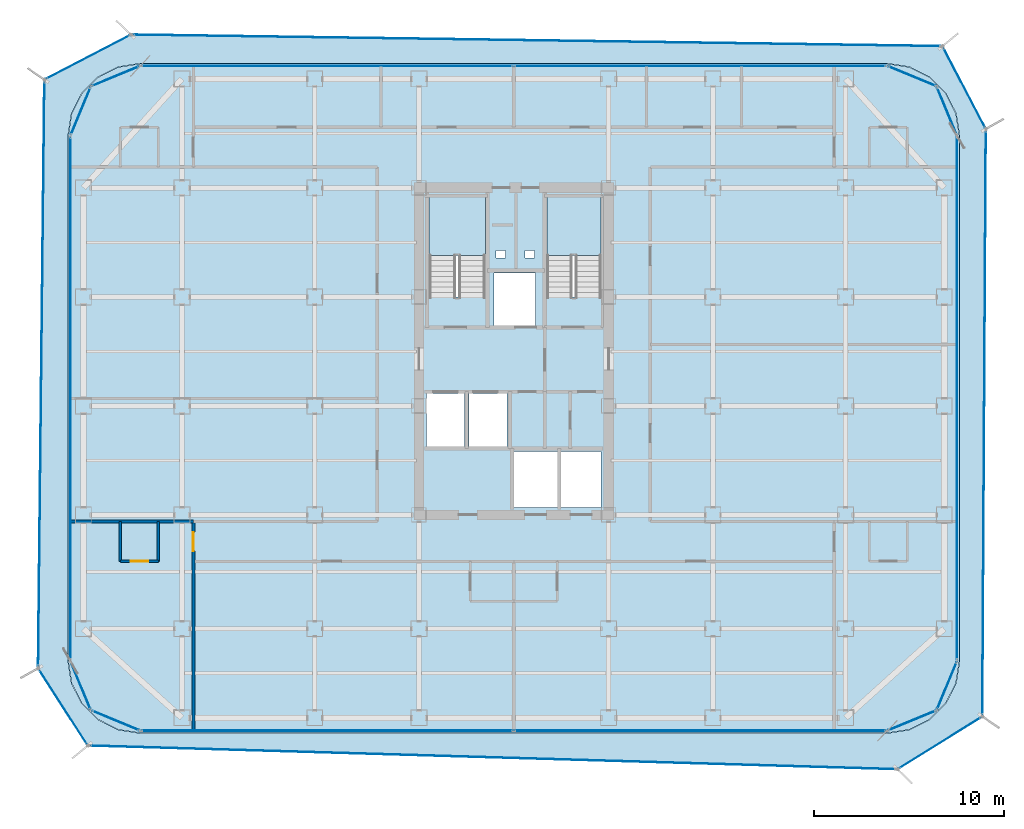
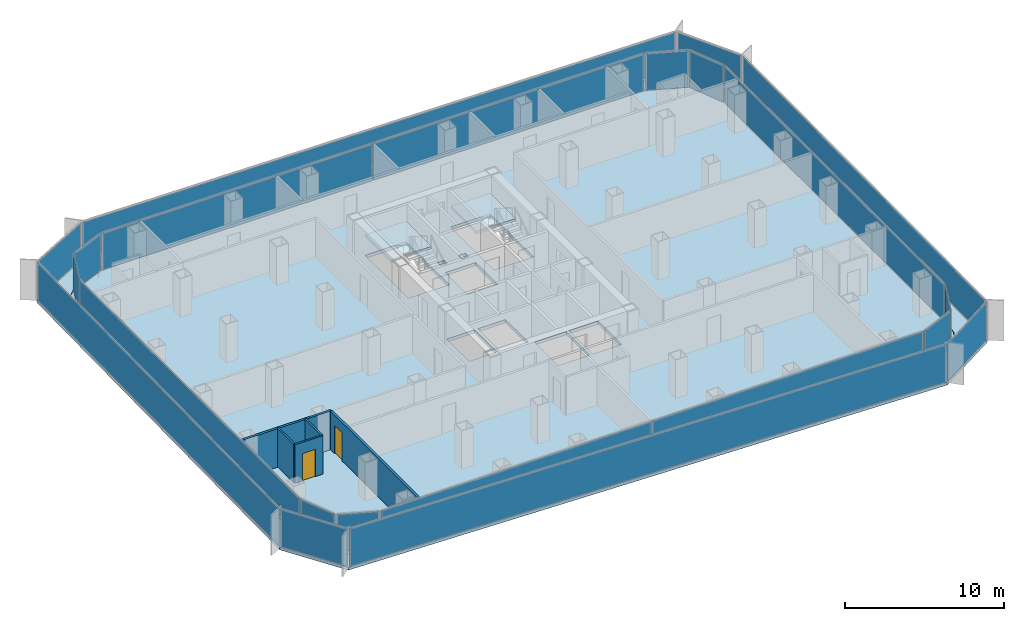
# One storey, part 15 of 21: 22 plates, 5 walls, 4 slabs, 2 doors, 2 openings, 22 elements without a shape of their own.
"""IFC4 building model written with IfcOpenShell, lengths in metres."""

import ifcopenshell
import ifcopenshell.guid

model = None  # the IFC model being written
_history = None  # IfcOwnerHistory: only IFC2X3 demands one
_inside = {}  # id of a spatial element -> (the spatial element, [elements in it])
_under = {}  # id of a project, library or spatial element -> (it, [spatial elements below it])
_declared = {}  # id of a project -> (the project, [libraries it declares])
_typed = {}  # id of a type object -> (the type object, [elements of that type])
_made_of = {}  # id of a material, layer set ... -> (it, [elements and type objects made of it])


def new_model(schema):
    """Start an empty IFC model of exactly this schema.

    Asked for "IFC4X3", IfcOpenShell would pick the latest addendum, in which some entities
    have other attributes; the version numbers below select the first issue.
    IFC2X3 requires an IfcOwnerHistory on every rooted entity: one is made here for all.
    """
    global model, _history
    if schema == "IFC4X3":
        model = ifcopenshell.file(schema_version=(4, 3, 0, 0))
    else:
        model = ifcopenshell.file(schema=schema)
    _inside.clear()
    _under.clear()
    _declared.clear()
    _typed.clear()
    _made_of.clear()
    _history = None
    if model.schema == "IFC2X3":
        org = make("IfcOrganization", Name="unknown")
        user = make(
            "IfcPersonAndOrganization",
            ThePerson=make("IfcPerson", FamilyName="unknown"),
            TheOrganization=org,
        )
        app = make(
            "IfcApplication",
            ApplicationDeveloper=org,
            Version="unknown",
            ApplicationFullName="unknown",
            ApplicationIdentifier="unknown",
        )
        _history = make(
            "IfcOwnerHistory",
            OwningUser=user,
            OwningApplication=app,
            ChangeAction="ADDED",
            CreationDate=0,
        )
    return model


def make(cls, **values):
    """One entity of the class cls with the attributes given. An attribute that is None is left unset."""
    return model.create_entity(
        cls, **{name: value for name, value in values.items() if value is not None}
    )


def rooted(cls, **values):
    """An entity with a GlobalId (a new one), such as an element, a storey or a relation."""
    return make(cls, GlobalId=ifcopenshell.guid.new(), OwnerHistory=_history, **values)


def si_unit(unit_type, name, prefix=None):
    """IfcSIUnit, for example si_unit("LENGTHUNIT", "METRE", prefix="MILLI")."""
    return make("IfcSIUnit", UnitType=unit_type, Prefix=prefix, Name=name)


def assignment(units):
    """IfcUnitAssignment: the units of a project."""
    return None if units is None else make("IfcUnitAssignment", Units=units)


def point(xyz):
    """IfcCartesianPoint."""
    return None if xyz is None else make("IfcCartesianPoint", Coordinates=xyz)


def direction(xyz):
    """IfcDirection."""
    return None if xyz is None else make("IfcDirection", DirectionRatios=xyz)


def frame(location, z_axis=None, x_axis=None):
    """IfcAxis2Placement3D, a coordinate frame: its origin and axes. An axis left out is left unset."""
    return make(
        "IfcAxis2Placement3D",
        Location=point(location),
        Axis=direction(z_axis),
        RefDirection=direction(x_axis),
    )


def frame_2d(location, x_axis=None):
    """IfcAxis2Placement2D, a coordinate frame in the plane: its origin and x axis."""
    return make(
        "IfcAxis2Placement2D", Location=point(location), RefDirection=direction(x_axis)
    )


def origin():
    """The frame at (0, 0, 0) with its axes left unset."""
    return frame((0.0, 0.0, 0.0))


def origin_2d():
    """The frame at (0, 0) in the plane with its x axis left unset."""
    return frame_2d((0.0, 0.0))


def place(relative_to, where):
    """IfcLocalPlacement: puts the frame where relative to a parent placement (None: the world)."""
    return make(
        "IfcLocalPlacement", PlacementRelTo=relative_to, RelativePlacement=where
    )


def context(
    kind, dimensions, precision=None, world=None, true_north=None, identifier=None
):
    """IfcGeometricRepresentationContext, for example the 3D "Model" context."""
    return make(
        "IfcGeometricRepresentationContext",
        ContextIdentifier=identifier,
        ContextType=kind,
        CoordinateSpaceDimension=dimensions,
        Precision=precision,
        WorldCoordinateSystem=world,
        TrueNorth=true_north,
    )


def subcontext(parent, identifier, kind, view, scale=None):
    """IfcGeometricRepresentationSubContext, for example "Body" below "Model"."""
    return make(
        "IfcGeometricRepresentationSubContext",
        ContextIdentifier=identifier,
        ContextType=kind,
        ParentContext=parent,
        TargetScale=scale,
        TargetView=view,
    )


def project(units=None, contexts=None):
    """IfcProject with its units and contexts."""
    return rooted(
        "IfcProject",
        Name="project",
        RepresentationContexts=contexts,
        UnitsInContext=assignment(units),
    )


def spatial(cls, under=None, at=None, **own):
    """A site, building, storey or space (cls), placed at a placement, below another one or the project."""
    s = rooted(cls, ObjectPlacement=at, **own)
    if under is not None:
        _under.setdefault(under.id(), (under, []))[1].append(s)
    return s


def polyline(points):
    """IfcPolyline through the points."""
    return make("IfcPolyline", Points=[point(p) for p in points])


def profile(cls, at=None, kind="AREA", **sizes):
    """A parametric profile (cls). Its sizes go by their IFC names, for example OverallWidth=200.0."""
    return make(cls, ProfileType=kind, Position=at, **sizes)


def rectangle(**sizes):
    """IfcRectangleProfileDef."""
    return profile("IfcRectangleProfileDef", **sizes)


def outline(outer, holes=None, kind="AREA"):
    """IfcArbitraryClosedProfileDef: a profile drawn as a closed curve; with holes, ...WithVoids."""
    if holes is None:
        return make("IfcArbitraryClosedProfileDef", ProfileType=kind, OuterCurve=outer)
    return make(
        "IfcArbitraryProfileDefWithVoids",
        ProfileType=kind,
        OuterCurve=outer,
        InnerCurves=holes,
    )


def extrude(swept, where, along, depth):
    """IfcExtrudedAreaSolid: the profile swept, set in the frame where, extruded along a direction by depth."""
    return make(
        "IfcExtrudedAreaSolid",
        SweptArea=swept,
        Position=where,
        ExtrudedDirection=direction(along),
        Depth=depth,
    )


def shape(context_of_items, identifier, shape_type, items):
    """IfcShapeRepresentation: the items that make up one representation, for example the "Body"."""
    return make(
        "IfcShapeRepresentation",
        ContextOfItems=context_of_items,
        RepresentationIdentifier=identifier,
        RepresentationType=shape_type,
        Items=items,
    )


def source(mapping_origin, context_of_items, identifier, shape_type, items):
    """IfcRepresentationMap: a shape defined once, which mapped items show again and again."""
    return make(
        "IfcRepresentationMap",
        MappingOrigin=mapping_origin,
        MappedRepresentation=shape(context_of_items, identifier, shape_type, items),
    )


def transform(
    local_origin,
    x_axis=None,
    y_axis=None,
    z_axis=None,
    scale=None,
    scale2=None,
    scale3=None,
    uniform=True,
):
    """IfcCartesianTransformationOperator3D, or its non-uniform kind. x_axis, y_axis, z_axis: its Axis1, 2, 3."""
    if uniform:
        return make(
            "IfcCartesianTransformationOperator3D",
            Axis1=direction(x_axis),
            Axis2=direction(y_axis),
            LocalOrigin=point(local_origin),
            Scale=scale,
            Axis3=direction(z_axis),
        )
    return make(
        "IfcCartesianTransformationOperator3DnonUniform",
        Axis1=direction(x_axis),
        Axis2=direction(y_axis),
        LocalOrigin=point(local_origin),
        Scale=scale,
        Axis3=direction(z_axis),
        Scale2=scale2,
        Scale3=scale3,
    )


def mapped(mapping_source, mapping_target):
    """IfcMappedItem: shows the shape of a source again, moved by a transform."""
    return make(
        "IfcMappedItem", MappingSource=mapping_source, MappingTarget=mapping_target
    )


def material(Name=None, Category=None):
    """IfcMaterial."""
    return make("IfcMaterial", Name=Name, Category=Category)


def layer(
    of_material, thickness, ventilated=None, Name=None, Category=None, Priority=None
):
    """IfcMaterialLayer: one layer of a wall or slab, of a material (None: an air gap)."""
    return make(
        "IfcMaterialLayer",
        Material=of_material,
        LayerThickness=thickness,
        IsVentilated=ventilated,
        Name=Name,
        Category=Category,
        Priority=Priority,
    )


def layer_set(layers, Name=None):
    """IfcMaterialLayerSet."""
    return make("IfcMaterialLayerSet", MaterialLayers=layers, LayerSetName=Name)


def made_of(thing, what):
    """Note that an element or type object is made of a material, layer set ...; save() writes the relation."""
    if what is not None:
        _made_of.setdefault(what.id(), (what, []))[1].append(thing)
    return thing


def type_object(cls, material=None, **own):
    """A type object (cls), such as IfcWallType, which elements share."""
    return made_of(rooted(cls, **own), material)


def element(
    cls,
    number,
    at=None,
    inside=None,
    cuts=None,
    type_object=None,
    material=None,
    context=None,
    identifier="Body",
    shape_type=None,
    held_by="IfcProductDefinitionShape",
    body=None,
    shapes=None,
    **own,
):
    """One element of the class cls, such as IfcWall. Its Tag is "e" and its number.

    at: its placement. inside: the storey or other place that contains it. cuts: it is an
    opening in that element (IfcRelVoidsElement). A single representation is given by context,
    identifier, shape_type and body (its items); several are given by shapes. held_by: the class
    of the entity that holds the representations. save() writes the other relations.
    """
    e = rooted(cls, Tag="e%d" % number, ObjectPlacement=at, **own)
    if body is not None:
        shapes = [shape(context, identifier, shape_type, body)]
    if shapes is not None:
        e.Representation = make(held_by, Representations=shapes)
    if inside is not None:
        _inside.setdefault(inside.id(), (inside, []))[1].append(e)
    if cuts is not None:
        rooted(
            "IfcRelVoidsElement", RelatingBuildingElement=cuts, RelatedOpeningElement=e
        )
    if type_object is not None:
        _typed.setdefault(type_object.id(), (type_object, []))[1].append(e)
    return made_of(e, material)


def fill(opening, filler):
    """IfcRelFillsElement: the door or window that sits in an opening."""
    return rooted(
        "IfcRelFillsElement",
        RelatingOpeningElement=opening,
        RelatedBuildingElement=filler,
    )


def aggregate(whole, parts):
    """IfcRelAggregates: a whole, such as a stair, and the parts it consists of."""
    return rooted("IfcRelAggregates", RelatingObject=whole, RelatedObjects=parts)


def save(model, path):
    """Write the relations noted so far, then the file.

    IfcRelAggregates (storeys below a building ...), IfcRelContainedInSpatialStructure (elements
    in a storey), IfcRelDefinesByType, IfcRelAssociatesMaterial and IfcRelDeclares: one each for
    every whole, place, type object, material and project.
    """
    for whole, parts in _under.values():
        aggregate(whole, parts)
    for where, things in _inside.values():
        rooted(
            "IfcRelContainedInSpatialStructure",
            RelatedElements=things,
            RelatingStructure=where,
        )
    for kind, things in _typed.values():
        rooted("IfcRelDefinesByType", RelatedObjects=things, RelatingType=kind)
    for what, things in _made_of.values():
        rooted("IfcRelAssociatesMaterial", RelatedObjects=things, RelatingMaterial=what)
    for by, libraries in _declared.values():
        rooted("IfcRelDeclares", RelatingContext=by, RelatedDefinitions=libraries)
    model.write(path)


model = new_model("IFC4")

# Units and contexts
model_context = context("Model", 3, precision=1e-05, world=origin(), true_north=direction((0.0, 1.0)))
body_context = subcontext(model_context, "Body", "Model", "MODEL_VIEW")
ifc_project = project(units=[si_unit("LENGTHUNIT", "METRE"), si_unit("AREAUNIT", "SQUARE_METRE"), si_unit("VOLUMEUNIT", "CUBIC_METRE"), si_unit("PLANEANGLEUNIT", "RADIAN"), si_unit("MASSUNIT", "GRAM", prefix="KILO")], contexts=[model_context])

# Site, building, storey
site_placement = place(None, origin())
site = spatial("IfcSite", under=ifc_project, at=site_placement, CompositionType="ELEMENT")
building_placement = place(site_placement, origin())
building = spatial("IfcBuilding", under=site, at=building_placement, Name="Kolveth Station Tower", CompositionType="ELEMENT")
storey_placement = place(building_placement, frame((0.0, 0.0, 131.10009765625)))
storey = spatial("IfcBuildingStorey", under=building, at=storey_placement, Name="L36", CompositionType="ELEMENT", Elevation=131.10009765625)

# Slab
ifc_material_1 = material(Name="Concrete C40/50", Category="concrete")
ifc_layer_1 = layer(ifc_material_1, 0.25)
ifc_layer_set_1 = layer_set([ifc_layer_1], Name="Concrete C40/50")
slab_type_1 = type_object("IfcSlabType", Name="Slab_SF-250", PredefinedType="FLOOR", material=ifc_layer_set_1)
slab_1_placement = place(storey_placement, frame((0.0, 0.0, -0.25)))
element("IfcSlab", 1, at=slab_1_placement, inside=storey, type_object=slab_type_1, Name="L36 Tower Structural Floor Slab", PredefinedType="FLOOR", context=body_context, shape_type="SweptSolid", body=[
    extrude(outline(polyline([(43.199951171875, 0.0), (44.374267578125, 0.18603515625), (45.43359375, 0.7255859375), (46.2744140625, 1.56640625), (46.81396484375, 2.625732421875), (47.0, 3.800048828125), (47.0, 31.5), (46.81396484375, 32.67431640625), (46.2744140625, 33.733642578125), (45.43359375, 34.57421875), (44.374267578125, 35.114013671875), (43.199951171875, 35.300048828125), (3.800048828125, 35.300048828125), (2.625732421875, 35.114013671875), (1.56640625, 34.57421875), (0.7255859375, 33.733642578125), (0.18603515625, 32.67431640625), (0.0, 31.5), (0.0, 3.800048828125), (0.18603515625, 2.625732421875), (0.7255859375, 1.56640625), (1.56640625, 0.7255859375), (2.625732421875, 0.18603515625), (3.800048828125, 0.0), (43.199951171875, 0.0)]), holes=[polyline([(19.0400390625, 22.985107421875), (22.0, 22.985107421875), (22.0, 28.39990234375), (19.0400390625, 28.39990234375), (19.0400390625, 22.985107421875)]), polyline([(25.239990234375, 22.985107421875), (28.10009765625, 22.985107421875), (28.10009765625, 28.39990234375), (25.239990234375, 28.39990234375), (25.239990234375, 22.985107421875)]), polyline([(18.89990234375, 15.10009765625), (20.89990234375, 15.10009765625), (20.89990234375, 17.89990234375), (18.89990234375, 17.89990234375), (18.89990234375, 15.10009765625)]), polyline([(21.14990234375, 15.10009765625), (23.14990234375, 15.10009765625), (23.14990234375, 17.89990234375), (21.14990234375, 17.89990234375), (21.14990234375, 15.10009765625)]), polyline([(22.449951171875, 21.5), (24.64990234375, 21.5), (24.64990234375, 24.25), (22.449951171875, 24.25), (22.449951171875, 21.5)]), polyline([(23.5, 11.89990234375), (25.800048828125, 11.89990234375), (25.800048828125, 14.85009765625), (23.5, 14.85009765625), (23.5, 11.89990234375)]), polyline([(26.0, 11.89990234375), (28.10009765625, 11.89990234375), (28.10009765625, 14.85009765625), (26.0, 14.85009765625), (26.0, 11.89990234375)]), polyline([(22.550048828125, 25.050048828125), (23.050048828125, 25.050048828125), (23.050048828125, 25.449951171875), (22.550048828125, 25.449951171875), (22.550048828125, 25.050048828125)]), polyline([(24.10009765625, 25.050048828125), (24.60009765625, 25.050048828125), (24.60009765625, 25.449951171875), (24.10009765625, 25.449951171875), (24.10009765625, 25.050048828125)])]), origin(), (0.0, 0.0, 1.0), 0.25),
])

# Stair, slab
stair_type_1 = type_object("IfcStairType", Name="Stair_ST2", PredefinedType="HALF_TURN_STAIR", material=ifc_material_1)
stair_1_placement = place(storey_placement, origin())
stair_1 = element("IfcStair", 2, at=stair_1_placement, inside=storey, type_object=stair_type_1, Name="L36 Tower Exit Stair ST2", PredefinedType="HALF_TURN_STAIR")
ifc_layer_2 = layer(ifc_material_1, 0.18994140625)
ifc_layer_set_2 = layer_set([ifc_layer_2], Name="Concrete C40/50")
slab_type_2 = type_object("IfcSlabType", Name="Slab_SL-190", PredefinedType="LANDING", material=ifc_layer_set_2)
slab_2_placement = place(storey_placement, frame((0.0, 0.0, 1.39990234375)))
slab_2 = element("IfcSlab", 3, at=slab_2_placement, type_object=slab_type_2, Name="ST2 landing 1", PredefinedType="LANDING", context=body_context, shape_type="SweptSolid", body=[
    extrude(outline(polyline([(28.10009765625, 25.18994140625), (28.10009765625, 28.39990234375), (25.239990234375, 28.39990234375), (25.239990234375, 25.18994140625), (28.10009765625, 25.18994140625)])), origin(), (0.0, 0.0, 1.0), 0.199951171875),
])
aggregate(stair_1, [slab_2])

stair_type_2 = type_object("IfcStairType", Name="Stair_ST1", PredefinedType="HALF_TURN_STAIR", material=ifc_material_1)
stair_2_placement = place(storey_placement, origin())
stair_2 = element("IfcStair", 4, at=stair_2_placement, inside=storey, type_object=stair_type_2, Name="L36 Tower Exit Stair ST1", PredefinedType="HALF_TURN_STAIR")
ifc_layer_3 = layer(ifc_material_1, 0.205078125)
ifc_layer_set_3 = layer_set([ifc_layer_3], Name="Concrete C40/50")
slab_type_3 = type_object("IfcSlabType", Name="Slab_SL-205", PredefinedType="LANDING", material=ifc_layer_set_3)
slab_3_placement = place(storey_placement, frame((0.0, 0.0, 1.39990234375)))
slab_3 = element("IfcSlab", 5, at=slab_3_placement, type_object=slab_type_3, Name="ST1 landing 1", PredefinedType="LANDING", context=body_context, shape_type="SweptSolid", body=[
    extrude(outline(polyline([(22.0, 25.18994140625), (22.0, 28.39990234375), (19.0400390625, 28.39990234375), (19.0400390625, 25.18994140625), (22.0, 25.18994140625)])), origin(), (0.0, 0.0, 1.0), 0.199951171875),
])
aggregate(stair_2, [slab_3])

# Slab
ifc_layer_4 = layer(ifc_material_1, 0.2099609375)
ifc_layer_set_4 = layer_set([ifc_layer_4], Name="Concrete C40/50")
slab_type_4 = type_object("IfcSlabType", Name="Slab_ST-210", PredefinedType="FLOOR", material=ifc_layer_set_4)
slab_4_placement = place(storey_placement, frame((0.0, 0.0, -0.210205078125)))
element("IfcSlab", 6, at=slab_4_placement, inside=storey, type_object=slab_type_4, Name="L36 Double-Skin Cavity Structural Ledger Ring", PredefinedType="FLOOR", context=body_context, shape_type="SweptSolid", body=[
    extrude(outline(polyline([(1.037841796875, -0.664306640625), (-1.5849609375, 3.4208984375), (-1.25244140625, 34.454833984375), (3.31298828125, 36.83056640625), (46.109619140625, 36.222900390625), (48.397705078125, 31.85546875), (48.213623046875, 0.867431640625), (43.734130859375, -1.9130859375), (1.037841796875, -0.664306640625)]), holes=[polyline([(43.202392578125, -0.014892578125), (44.376708984375, 0.171142578125), (44.381103515625, 0.172607421875), (45.4404296875, 0.71240234375), (45.444091796875, 0.715087890625), (46.284912109375, 1.555908203125), (46.28759765625, 1.5595703125), (46.827392578125, 2.618896484375), (46.828857421875, 2.623291015625), (47.014892578125, 3.797607421875), (47.014892578125, 3.800048828125), (47.014892578125, 31.5), (47.014892578125, 31.502197265625), (46.828857421875, 32.676513671875), (46.827392578125, 32.68115234375), (46.28759765625, 33.740478515625), (46.284912109375, 33.744140625), (45.444091796875, 34.5849609375), (45.4404296875, 34.587646484375), (44.381103515625, 35.12744140625), (44.376708984375, 35.12890625), (43.202392578125, 35.314697265625), (43.199951171875, 35.31494140625), (3.800048828125, 35.31494140625), (3.797607421875, 35.314697265625), (2.623291015625, 35.12890625), (2.618896484375, 35.12744140625), (1.5595703125, 34.587646484375), (1.555908203125, 34.5849609375), (0.715087890625, 33.744140625), (0.71240234375, 33.740478515625), (0.172607421875, 32.68115234375), (0.171142578125, 32.676513671875), (-0.014892578125, 31.502197265625), (-0.014892578125, 31.5), (-0.014892578125, 3.800048828125), (-0.014892578125, 3.797607421875), (0.171142578125, 2.623291015625), (0.172607421875, 2.618896484375), (0.71240234375, 1.5595703125), (0.715087890625, 1.555908203125), (1.555908203125, 0.715087890625), (1.5595703125, 0.71240234375), (2.618896484375, 0.172607421875), (2.623291015625, 0.171142578125), (3.797607421875, -0.014892578125), (3.800048828125, -0.014892578125), (43.199951171875, -0.014892578125), (43.202392578125, -0.014892578125)])]), origin(), (0.0, 0.0, 1.0), 0.210205078125),
])

# Curtain wall, plate
ifc_material_2 = material(Name="Aluminium 6063-T6 and low-E dark glass", Category="aluminium")
ifc_layer_5 = layer(ifc_material_2, 0.18994140625)
ifc_layer_set_5 = layer_set([ifc_layer_5], Name="Aluminium 6063-T6 and low-E dark glass")
curtain_wall_type_1 = type_object("IfcCurtainWallType", Name="CurtainWall_CW-Z2", PredefinedType="NOTDEFINED", material=ifc_layer_set_5)
curtain_wall_1_placement = place(storey_placement, origin())
curtain_wall_1 = element("IfcCurtainWall", 7, at=curtain_wall_1_placement, inside=storey, type_object=curtain_wall_type_1, Name="L36 Inner Thermal Curtain Wall 1", PredefinedType="NOTDEFINED")
ifc_material_3 = material(Name="Architectural low-E dark glass", Category="glass")
ifc_layer_6 = layer(ifc_material_3, 0.0380859375)
ifc_layer_set_6 = layer_set([ifc_layer_6], Name="Architectural low-E dark glass")
plate_type_1 = type_object("IfcPlateType", Name="Panel_GL2", PredefinedType="CURTAIN_PANEL", material=ifc_layer_set_6)
shared_shape_1 = source(origin(), body_context, "Body", "SweptSolid", [
    extrude(rectangle(XDim=2.670654296875, YDim=0.0380859375, at=origin_2d()), origin(), (0.0, 0.0, 1.0), 2.803955078125),
])
plate_1_placement = place(storey_placement, frame((44.501220703125, 0.658935546875, 0.07275390625), z_axis=(0.0, 0.0, 1.0), x_axis=(0.923887883787, 0.38266326998, 0.0)))
plate_1 = element("IfcPlate", 8, at=plate_1_placement, type_object=plate_type_1, Name="CW-Z2 panel 1.1", PredefinedType="CURTAIN_PANEL", context=body_context, shape_type="MappedRepresentation", body=[
    mapped(shared_shape_1, transform((0.0, 0.0, 0.0), x_axis=(1.0, 0.0, 0.0), y_axis=(0.0, 1.0, 0.0), z_axis=(0.0, 0.0, 1.0), scale=1.0)),
])
aggregate(curtain_wall_1, [plate_1])

curtain_wall_2_placement = place(storey_placement, origin())
curtain_wall_2 = element("IfcCurtainWall", 9, at=curtain_wall_2_placement, inside=storey, type_object=curtain_wall_type_1, Name="L36 Inner Thermal Curtain Wall 2", PredefinedType="NOTDEFINED")
plate_2_placement = place(storey_placement, frame((46.341064453125, 2.498779296875, 0.07275390625), z_axis=(0.0, 0.0, 1.0), x_axis=(0.38266326998, 0.923887883787, 0.0)))
plate_2 = element("IfcPlate", 10, at=plate_2_placement, type_object=plate_type_1, Name="CW-Z2 panel 1.1", PredefinedType="CURTAIN_PANEL", context=body_context, shape_type="MappedRepresentation", body=[
    mapped(shared_shape_1, transform((0.0, 0.0, 0.0), x_axis=(1.0, 0.0, 0.0), y_axis=(0.0, 1.0, 0.0), z_axis=(0.0, 0.0, 1.0), scale=1.0)),
])
aggregate(curtain_wall_2, [plate_2])

curtain_wall_3_placement = place(storey_placement, origin())
curtain_wall_3 = element("IfcCurtainWall", 11, at=curtain_wall_3_placement, inside=storey, type_object=curtain_wall_type_1, Name="L36 Inner Thermal Curtain Wall 4", PredefinedType="NOTDEFINED")
plate_3_placement = place(storey_placement, frame((46.341064453125, 32.801025390625, 0.07275390625), z_axis=(0.0, 0.0, 1.0), x_axis=(-0.38266326998, 0.923887883787, 0.0)))
plate_3 = element("IfcPlate", 12, at=plate_3_placement, type_object=plate_type_1, Name="CW-Z2 panel 1.1", PredefinedType="CURTAIN_PANEL", context=body_context, shape_type="MappedRepresentation", body=[
    mapped(shared_shape_1, transform((0.0, 0.0, 0.0), x_axis=(1.0, 0.0, 0.0), y_axis=(0.0, 1.0, 0.0), z_axis=(0.0, 0.0, 1.0), scale=1.0)),
])
aggregate(curtain_wall_3, [plate_3])

curtain_wall_4_placement = place(storey_placement, origin())
curtain_wall_4 = element("IfcCurtainWall", 13, at=curtain_wall_4_placement, inside=storey, type_object=curtain_wall_type_1, Name="L36 Inner Thermal Curtain Wall 5", PredefinedType="NOTDEFINED")
plate_4_placement = place(storey_placement, frame((44.501220703125, 34.64111328125, 0.07275390625), z_axis=(0.0, 0.0, 1.0), x_axis=(-0.923887883787, 0.38266326998, 0.0)))
plate_4 = element("IfcPlate", 14, at=plate_4_placement, type_object=plate_type_1, Name="CW-Z2 panel 1.1", PredefinedType="CURTAIN_PANEL", context=body_context, shape_type="MappedRepresentation", body=[
    mapped(shared_shape_1, transform((0.0, 0.0, 0.0), x_axis=(1.0, 0.0, 0.0), y_axis=(0.0, 1.0, 0.0), z_axis=(0.0, 0.0, 1.0), scale=1.0)),
])
aggregate(curtain_wall_4, [plate_4])

curtain_wall_5_placement = place(storey_placement, origin())
curtain_wall_5 = element("IfcCurtainWall", 15, at=curtain_wall_5_placement, inside=storey, type_object=curtain_wall_type_1, Name="L36 Inner Thermal Curtain Wall 7", PredefinedType="NOTDEFINED")
plate_5_placement = place(storey_placement, frame((2.498779296875, 34.64111328125, 0.07275390625), z_axis=(0.0, 0.0, 1.0), x_axis=(-0.923887883787, -0.38266326998, 0.0)))
plate_5 = element("IfcPlate", 16, at=plate_5_placement, type_object=plate_type_1, Name="CW-Z2 panel 1.1", PredefinedType="CURTAIN_PANEL", context=body_context, shape_type="MappedRepresentation", body=[
    mapped(shared_shape_1, transform((0.0, 0.0, 0.0), x_axis=(1.0, 0.0, 0.0), y_axis=(0.0, 1.0, 0.0), z_axis=(0.0, 0.0, 1.0), scale=1.0)),
])
aggregate(curtain_wall_5, [plate_5])

curtain_wall_6_placement = place(storey_placement, origin())
curtain_wall_6 = element("IfcCurtainWall", 17, at=curtain_wall_6_placement, inside=storey, type_object=curtain_wall_type_1, Name="L36 Inner Thermal Curtain Wall 8", PredefinedType="NOTDEFINED")
plate_6_placement = place(storey_placement, frame((0.658935546875, 32.801025390625, 0.07275390625), z_axis=(0.0, 0.0, 1.0), x_axis=(-0.38266326998, -0.923887883787, 0.0)))
plate_6 = element("IfcPlate", 18, at=plate_6_placement, type_object=plate_type_1, Name="CW-Z2 panel 1.1", PredefinedType="CURTAIN_PANEL", context=body_context, shape_type="MappedRepresentation", body=[
    mapped(shared_shape_1, transform((0.0, 0.0, 0.0), x_axis=(1.0, 0.0, 0.0), y_axis=(0.0, 1.0, 0.0), z_axis=(0.0, 0.0, 1.0), scale=1.0)),
])
aggregate(curtain_wall_6, [plate_6])

curtain_wall_7_placement = place(storey_placement, origin())
curtain_wall_7 = element("IfcCurtainWall", 19, at=curtain_wall_7_placement, inside=storey, type_object=curtain_wall_type_1, Name="L36 Inner Thermal Curtain Wall 10", PredefinedType="NOTDEFINED")
plate_7_placement = place(storey_placement, frame((0.658935546875, 2.498779296875, 0.07275390625), z_axis=(0.0, 0.0, 1.0), x_axis=(0.38266326998, -0.923887883787, 0.0)))
plate_7 = element("IfcPlate", 20, at=plate_7_placement, type_object=plate_type_1, Name="CW-Z2 panel 1.1", PredefinedType="CURTAIN_PANEL", context=body_context, shape_type="MappedRepresentation", body=[
    mapped(shared_shape_1, transform((0.0, 0.0, 0.0), x_axis=(1.0, 0.0, 0.0), y_axis=(0.0, 1.0, 0.0), z_axis=(0.0, 0.0, 1.0), scale=1.0)),
])
aggregate(curtain_wall_7, [plate_7])

curtain_wall_8_placement = place(storey_placement, origin())
curtain_wall_8 = element("IfcCurtainWall", 21, at=curtain_wall_8_placement, inside=storey, type_object=curtain_wall_type_1, Name="L36 Inner Thermal Curtain Wall 11", PredefinedType="NOTDEFINED")
plate_8_placement = place(storey_placement, frame((2.498779296875, 0.658935546875, 0.07275390625), z_axis=(0.0, 0.0, 1.0), x_axis=(0.923887883787, -0.38266326998, 0.0)))
plate_8 = element("IfcPlate", 22, at=plate_8_placement, type_object=plate_type_1, Name="CW-Z2 panel 1.1", PredefinedType="CURTAIN_PANEL", context=body_context, shape_type="MappedRepresentation", body=[
    mapped(shared_shape_1, transform((0.0, 0.0, 0.0), x_axis=(1.0, 0.0, 0.0), y_axis=(0.0, 1.0, 0.0), z_axis=(0.0, 0.0, 1.0), scale=1.0)),
])
aggregate(curtain_wall_8, [plate_8])

curtain_wall_9_placement = place(storey_placement, origin())
curtain_wall_9 = element("IfcCurtainWall", 23, at=curtain_wall_9_placement, inside=storey, type_object=curtain_wall_type_1, Name="L36 Inner Thermal Curtain Wall 3", PredefinedType="NOTDEFINED")
shared_shape_2 = source(origin(), body_context, "Body", "SweptSolid", [
    extrude(rectangle(XDim=27.553955078125, YDim=0.0380859375, at=origin_2d()), origin(), (0.0, 0.0, 1.0), 2.803955078125),
])
plate_9_placement = place(storey_placement, frame((46.8798828125, 17.64990234375, 0.07275390625), z_axis=(0.0, 0.0, 1.0), x_axis=(0.0, 1.0, 0.0)))
plate_9 = element("IfcPlate", 24, at=plate_9_placement, type_object=plate_type_1, Name="CW-Z2 panel 1.1", PredefinedType="CURTAIN_PANEL", context=body_context, shape_type="MappedRepresentation", body=[
    mapped(shared_shape_2, transform((0.0, 0.0, 0.0), x_axis=(1.0, 0.0, 0.0), y_axis=(0.0, 1.0, 0.0), z_axis=(0.0, 0.0, 1.0), scale=1.0)),
])
aggregate(curtain_wall_9, [plate_9])

curtain_wall_10_placement = place(storey_placement, origin())
curtain_wall_10 = element("IfcCurtainWall", 25, at=curtain_wall_10_placement, inside=storey, type_object=curtain_wall_type_1, Name="L36 Inner Thermal Curtain Wall 9", PredefinedType="NOTDEFINED")
plate_10_placement = place(storey_placement, frame((0.1201171875, 17.64990234375, 0.07275390625), z_axis=(0.0, 0.0, 1.0), x_axis=(0.0, -1.0, 0.0)))
plate_10 = element("IfcPlate", 26, at=plate_10_placement, type_object=plate_type_1, Name="CW-Z2 panel 1.1", PredefinedType="CURTAIN_PANEL", context=body_context, shape_type="MappedRepresentation", body=[
    mapped(shared_shape_2, transform((0.0, 0.0, 0.0), x_axis=(1.0, 0.0, 0.0), y_axis=(0.0, 1.0, 0.0), z_axis=(0.0, 0.0, 1.0), scale=1.0)),
])
aggregate(curtain_wall_10, [plate_10])

# Curtain wall, plates
curtain_wall_11_placement = place(storey_placement, origin())
curtain_wall_11 = element("IfcCurtainWall", 27, at=curtain_wall_11_placement, inside=storey, type_object=curtain_wall_type_1, Name="L36 Inner Thermal Curtain Wall 6", PredefinedType="NOTDEFINED")
shared_shape_3 = source(origin(), body_context, "Body", "SweptSolid", [
    extrude(rectangle(XDim=19.593994140625, YDim=0.0380859375, at=origin_2d()), origin(), (0.0, 0.0, 1.0), 2.803955078125),
])
plate_11_placement = place(storey_placement, frame((33.330078125, 35.179931640625, 0.07275390625), z_axis=(0.0, 0.0, 1.0), x_axis=(-1.0, 0.0, 0.0)))
plate_11 = element("IfcPlate", 28, at=plate_11_placement, type_object=plate_type_1, Name="CW-Z2 panel 1.1", PredefinedType="CURTAIN_PANEL", context=body_context, shape_type="MappedRepresentation", body=[
    mapped(shared_shape_3, transform((0.0, 0.0, 0.0), x_axis=(1.0, 0.0, 0.0), y_axis=(0.0, 1.0, 0.0), z_axis=(0.0, 0.0, 1.0), scale=1.0)),
])
plate_12_placement = place(storey_placement, frame((13.669921875, 35.179931640625, 0.07275390625), z_axis=(0.0, 0.0, 1.0), x_axis=(-1.0, 0.0, 0.0)))
plate_12 = element("IfcPlate", 29, at=plate_12_placement, type_object=plate_type_1, Name="CW-Z2 panel 2.1", PredefinedType="CURTAIN_PANEL", context=body_context, shape_type="MappedRepresentation", body=[
    mapped(shared_shape_3, transform((0.0, 0.0, 0.0), x_axis=(1.0, 0.0, 0.0), y_axis=(0.0, 1.0, 0.0), z_axis=(0.0, 0.0, 1.0), scale=1.0)),
])
aggregate(curtain_wall_11, [plate_11, plate_12])

curtain_wall_12_placement = place(storey_placement, origin())
curtain_wall_12 = element("IfcCurtainWall", 30, at=curtain_wall_12_placement, inside=storey, type_object=curtain_wall_type_1, Name="L36 Inner Thermal Curtain Wall 12", PredefinedType="NOTDEFINED")
plate_13_placement = place(storey_placement, frame((13.669921875, 0.1201171875, 0.07275390625), z_axis=(0.0, 0.0, 1.0), x_axis=(1.0, 0.0, 0.0)))
plate_13 = element("IfcPlate", 31, at=plate_13_placement, type_object=plate_type_1, Name="CW-Z2 panel 1.1", PredefinedType="CURTAIN_PANEL", context=body_context, shape_type="MappedRepresentation", body=[
    mapped(shared_shape_3, transform((0.0, 0.0, 0.0), x_axis=(1.0, 0.0, 0.0), y_axis=(0.0, 1.0, 0.0), z_axis=(0.0, 0.0, 1.0), scale=1.0)),
])
plate_14_placement = place(storey_placement, frame((33.330078125, 0.1201171875, 0.07275390625), z_axis=(0.0, 0.0, 1.0), x_axis=(1.0, 0.0, 0.0)))
plate_14 = element("IfcPlate", 32, at=plate_14_placement, type_object=plate_type_1, Name="CW-Z2 panel 2.1", PredefinedType="CURTAIN_PANEL", context=body_context, shape_type="MappedRepresentation", body=[
    mapped(shared_shape_3, transform((0.0, 0.0, 0.0), x_axis=(1.0, 0.0, 0.0), y_axis=(0.0, 1.0, 0.0), z_axis=(0.0, 0.0, 1.0), scale=1.0)),
])
aggregate(curtain_wall_12, [plate_13, plate_14])

# Curtain wall, plate
ifc_material_4 = material(Name="Black anodized aluminium 6063-T6 and dark solar glass", Category="aluminium")
ifc_layer_7 = layer(ifc_material_4, 0.159912109375)
ifc_layer_set_7 = layer_set([ifc_layer_7], Name="Black anodized aluminium 6063-T6 and dark solar glass")
curtain_wall_type_2 = type_object("IfcCurtainWallType", Name="OUTER SKIN CW-OS", PredefinedType="NOTDEFINED", material=ifc_layer_set_7)
curtain_wall_13_placement = place(storey_placement, origin())
curtain_wall_13 = element("IfcCurtainWall", 33, at=curtain_wall_13_placement, inside=storey, type_object=curtain_wall_type_2, Name="L36 Outer Ventilated Skin Curtain Wall 1", PredefinedType="NOTDEFINED")
ifc_layer_8 = layer(ifc_material_3, 0.028076171875)
ifc_layer_set_8 = layer_set([ifc_layer_8], Name="Architectural low-E dark glass")
plate_type_2 = type_object("IfcPlateType", Name="Panel_GL-OS", PredefinedType="CURTAIN_PANEL", material=ifc_layer_set_8)
shared_shape_4 = source(origin(), body_context, "Body", "SweptSolid", [
    extrude(rectangle(XDim=5.106201171875, YDim=0.028076171875, at=origin_2d()), origin(), (0.0, 0.0, 1.0), 2.843994140625),
])
plate_15_placement = place(storey_placement, frame((45.973876953125, -0.522705078125, 0.07275390625), z_axis=(0.0, 0.0, 1.0), x_axis=(0.849629909166, 0.527379386637, 0.0)))
plate_15 = element("IfcPlate", 34, at=plate_15_placement, type_object=plate_type_2, Name="CW-OS panel 1.1", PredefinedType="CURTAIN_PANEL", context=body_context, shape_type="MappedRepresentation", body=[
    mapped(shared_shape_4, transform((0.0, 0.0, 0.0), x_axis=(1.0, 0.0, 0.0), y_axis=(0.0, 1.0, 0.0), z_axis=(0.0, 0.0, 1.0), scale=1.0)),
])
aggregate(curtain_wall_13, [plate_15])

curtain_wall_14_placement = place(storey_placement, origin())
curtain_wall_14 = element("IfcCurtainWall", 35, at=curtain_wall_14_placement, inside=storey, type_object=curtain_wall_type_2, Name="L36 Outer Ventilated Skin Curtain Wall 2", PredefinedType="NOTDEFINED")
shared_shape_5 = source(origin(), body_context, "Body", "SweptSolid", [
    extrude(rectangle(XDim=30.822509765625, YDim=0.028076171875, at=origin_2d()), origin(), (0.0, 0.0, 1.0), 2.843994140625),
])
plate_16_placement = place(storey_placement, frame((48.3056640625, 16.361572265625, 0.07275390625), z_axis=(0.0, 0.0, 1.0), x_axis=(0.005934450811, 0.999982390992, 0.0)))
plate_16 = element("IfcPlate", 36, at=plate_16_placement, type_object=plate_type_2, Name="CW-OS panel 1.1", PredefinedType="CURTAIN_PANEL", context=body_context, shape_type="MappedRepresentation", body=[
    mapped(shared_shape_5, transform((0.0, 0.0, 0.0), x_axis=(1.0, 0.0, 0.0), y_axis=(0.0, 1.0, 0.0), z_axis=(0.0, 0.0, 1.0), scale=1.0)),
])
aggregate(curtain_wall_14, [plate_16])

curtain_wall_15_placement = place(storey_placement, origin())
curtain_wall_15 = element("IfcCurtainWall", 37, at=curtain_wall_15_placement, inside=storey, type_object=curtain_wall_type_2, Name="L36 Outer Ventilated Skin Curtain Wall 3", PredefinedType="NOTDEFINED")
shared_shape_6 = source(origin(), body_context, "Body", "SweptSolid", [
    extrude(rectangle(XDim=4.764404296875, YDim=0.028076171875, at=origin_2d()), origin(), (0.0, 0.0, 1.0), 2.843994140625),
])
plate_17_placement = place(storey_placement, frame((47.253662109375, 34.039306640625, 0.07275390625), z_axis=(0.0, 0.0, 1.0), x_axis=(-0.46404867661, 0.885809700634, 0.0)))
plate_17 = element("IfcPlate", 38, at=plate_17_placement, type_object=plate_type_2, Name="CW-OS panel 1.1", PredefinedType="CURTAIN_PANEL", context=body_context, shape_type="MappedRepresentation", body=[
    mapped(shared_shape_6, transform((0.0, 0.0, 0.0), x_axis=(1.0, 0.0, 0.0), y_axis=(0.0, 1.0, 0.0), z_axis=(0.0, 0.0, 1.0), scale=1.0)),
])
aggregate(curtain_wall_15, [plate_17])

curtain_wall_16_placement = place(storey_placement, origin())
curtain_wall_16 = element("IfcCurtainWall", 39, at=curtain_wall_16_placement, inside=storey, type_object=curtain_wall_type_2, Name="L36 Outer Ventilated Skin Curtain Wall 4", PredefinedType="NOTDEFINED")
shared_shape_7 = source(origin(), body_context, "Body", "SweptSolid", [
    extrude(rectangle(XDim=42.634765625, YDim=0.028076171875, at=origin_2d()), origin(), (0.0, 0.0, 1.0), 2.843994140625),
])
plate_18_placement = place(storey_placement, frame((24.71142578125, 36.52685546875, 0.07275390625), z_axis=(0.0, 0.0, 1.0), x_axis=(-0.999899231828, 0.014195992047, 0.0)))
plate_18 = element("IfcPlate", 40, at=plate_18_placement, type_object=plate_type_2, Name="CW-OS panel 1.1", PredefinedType="CURTAIN_PANEL", context=body_context, shape_type="MappedRepresentation", body=[
    mapped(shared_shape_7, transform((0.0, 0.0, 0.0), x_axis=(1.0, 0.0, 0.0), y_axis=(0.0, 1.0, 0.0), z_axis=(0.0, 0.0, 1.0), scale=1.0)),
])
aggregate(curtain_wall_16, [plate_18])

curtain_wall_17_placement = place(storey_placement, origin())
curtain_wall_17 = element("IfcCurtainWall", 41, at=curtain_wall_17_placement, inside=storey, type_object=curtain_wall_type_2, Name="L36 Outer Ventilated Skin Curtain Wall 5", PredefinedType="NOTDEFINED")
shared_shape_8 = source(origin(), body_context, "Body", "SweptSolid", [
    extrude(rectangle(XDim=4.980712890625, YDim=0.028076171875, at=origin_2d()), origin(), (0.0, 0.0, 1.0), 2.843994140625),
])
plate_19_placement = place(storey_placement, frame((1.0302734375, 35.642822265625, 0.07275390625), z_axis=(0.0, 0.0, 1.0), x_axis=(-0.887086333753, -0.461603549022, 0.0)))
plate_19 = element("IfcPlate", 42, at=plate_19_placement, type_object=plate_type_2, Name="CW-OS panel 1.1", PredefinedType="CURTAIN_PANEL", context=body_context, shape_type="MappedRepresentation", body=[
    mapped(shared_shape_8, transform((0.0, 0.0, 0.0), x_axis=(1.0, 0.0, 0.0), y_axis=(0.0, 1.0, 0.0), z_axis=(0.0, 0.0, 1.0), scale=1.0)),
])
aggregate(curtain_wall_17, [plate_19])

curtain_wall_18_placement = place(storey_placement, origin())
curtain_wall_18 = element("IfcCurtainWall", 43, at=curtain_wall_18_placement, inside=storey, type_object=curtain_wall_type_2, Name="L36 Outer Ventilated Skin Curtain Wall 6", PredefinedType="NOTDEFINED")
shared_shape_9 = source(origin(), body_context, "Body", "SweptSolid", [
    extrude(rectangle(XDim=30.869873046875, YDim=0.028076171875, at=origin_2d()), origin(), (0.0, 0.0, 1.0), 2.843994140625),
])
plate_20_placement = place(storey_placement, frame((-1.418701171875, 18.93798828125, 0.07275390625), z_axis=(0.0, 0.0, 1.0), x_axis=(-0.010713440661, -0.999942609448, 0.0)))
plate_20 = element("IfcPlate", 44, at=plate_20_placement, type_object=plate_type_2, Name="CW-OS panel 1.1", PredefinedType="CURTAIN_PANEL", context=body_context, shape_type="MappedRepresentation", body=[
    mapped(shared_shape_9, transform((0.0, 0.0, 0.0), x_axis=(1.0, 0.0, 0.0), y_axis=(0.0, 1.0, 0.0), z_axis=(0.0, 0.0, 1.0), scale=1.0)),
])
aggregate(curtain_wall_18, [plate_20])

curtain_wall_19_placement = place(storey_placement, origin())
curtain_wall_19 = element("IfcCurtainWall", 45, at=curtain_wall_19_placement, inside=storey, type_object=curtain_wall_type_2, Name="L36 Outer Ventilated Skin Curtain Wall 7", PredefinedType="NOTDEFINED")
shared_shape_10 = source(origin(), body_context, "Body", "SweptSolid", [
    extrude(rectangle(XDim=4.688720703125, YDim=0.028076171875, at=origin_2d()), origin(), (0.0, 0.0, 1.0), 2.843994140625),
])
plate_21_placement = place(storey_placement, frame((-0.2734375, 1.37841796875, 0.07275390625), z_axis=(0.0, 0.0, 1.0), x_axis=(0.540261939555, -0.841496902352, 0.0)))
plate_21 = element("IfcPlate", 46, at=plate_21_placement, type_object=plate_type_2, Name="CW-OS panel 1.1", PredefinedType="CURTAIN_PANEL", context=body_context, shape_type="MappedRepresentation", body=[
    mapped(shared_shape_10, transform((0.0, 0.0, 0.0), x_axis=(1.0, 0.0, 0.0), y_axis=(0.0, 1.0, 0.0), z_axis=(0.0, 0.0, 1.0), scale=1.0)),
])
aggregate(curtain_wall_19, [plate_21])

curtain_wall_20_placement = place(storey_placement, origin())
curtain_wall_20 = element("IfcCurtainWall", 47, at=curtain_wall_20_placement, inside=storey, type_object=curtain_wall_type_2, Name="L36 Outer Ventilated Skin Curtain Wall 8", PredefinedType="NOTDEFINED")
shared_shape_11 = source(origin(), body_context, "Body", "SweptSolid", [
    extrude(rectangle(XDim=42.548583984375, YDim=0.028076171875, at=origin_2d()), origin(), (0.0, 0.0, 1.0), 2.843994140625),
])
plate_22_placement = place(storey_placement, frame((22.385986328125, -1.28857421875, 0.07275390625), z_axis=(0.0, 0.0, 1.0), x_axis=(0.999572607148, -0.029233594346, 0.0)))
plate_22 = element("IfcPlate", 48, at=plate_22_placement, type_object=plate_type_2, Name="CW-OS panel 1.1", PredefinedType="CURTAIN_PANEL", context=body_context, shape_type="MappedRepresentation", body=[
    mapped(shared_shape_11, transform((0.0, 0.0, 0.0), x_axis=(1.0, 0.0, 0.0), y_axis=(0.0, 1.0, 0.0), z_axis=(0.0, 0.0, 1.0), scale=1.0)),
])
aggregate(curtain_wall_20, [plate_22])

# Walls
ifc_material_5 = material(Name="Moisture-resistant gypsum partition")
ifc_layer_9 = layer(ifc_material_5, 0.135009765625)
ifc_layer_set_9 = layer_set([ifc_layer_9], Name="Moisture-resistant gypsum partition")
wall_type_1 = type_object("IfcWallType", Name="Wall_IW-135", PredefinedType="PARTITIONING", material=ifc_layer_set_9)
for number, where, z_axis, x_axis, name in (
    (49, (2.75, 9.050048828125, 0.0), (0.0, 0.0, 1.0), (0.0, 1.0, 0.0), "L36 Partition Wall WL-L36-WS1-BV1"),
    (50, (4.75, 9.050048828125, 0.0), (0.0, 0.0, 1.0), (0.0, 1.0, 0.0), "L36 Partition Wall WL-L36-WS1-BV2"),
):
    element("IfcWall", number, at=place(storey_placement, frame(where, z_axis=z_axis, x_axis=x_axis)), inside=storey, type_object=wall_type_1, Name=name, PredefinedType="PARTITIONING", context=body_context, shape_type="SweptSolid", body=[
        extrude(rectangle(XDim=2.099853515625, YDim=0.135009765625, at=frame_2d((1.0498046875, 0.0))), origin(), (0.0, 0.0, 1.0), 2.949951171875),
    ])

# Wall, opening, door
wall_1_placement = place(storey_placement, frame((2.75, 9.050048828125, 0.0), z_axis=(0.0, 0.0, 1.0), x_axis=(1.0, 0.0, 0.0)))
wall_1 = element("IfcWall", 51, at=wall_1_placement, inside=storey, type_object=wall_type_1, Name="L36 Partition Wall WL-L36-WS1-BH", PredefinedType="PARTITIONING", context=body_context, shape_type="SweptSolid", body=[
    extrude(rectangle(XDim=2.0, YDim=0.135009765625, at=frame_2d((1.0, 0.0))), origin(), (0.0, 0.0, 1.0), 2.949951171875),
])
opening_1_placement = place(wall_1_placement, frame((0.5400390625, 0.0, 0.0)))
opening_1 = element("IfcOpeningElement", 52, at=opening_1_placement, cuts=wall_1, Name="Opening ID2", PredefinedType="OPENING", context=body_context, shape_type="SweptSolid", body=[
    extrude(rectangle(XDim=0.919921875, YDim=2.10009765625, at=frame_2d((0.4599609375, 1.050048828125))), frame((0.0, 0.077392578125, 0.0), z_axis=(0.0, -1.0, 0.0), x_axis=(1.0, 0.0, 0.0)), (0.0, 0.0, 1.0), 0.155029296875),
])
ifc_material_6 = material(Name="Moisture-resistant hardwood leaf", Category="wood")
door_type_1 = type_object("IfcDoorType", Name="Door_ID2", OperationType="NOTDEFINED", PredefinedType="DOOR", material=ifc_material_6)
door_1_placement = place(opening_1_placement, origin())
door_1 = element("IfcDoor", 53, at=door_1_placement, inside=storey, type_object=door_type_1, Name="L36 Hotel Corner Suite WS1 En-Suite Door", OperationType="SINGLE_SWING_RIGHT", OverallHeight=2.10009765625, OverallWidth=0.919921875, PredefinedType="DOOR", context=body_context, shape_type="SweptSolid", body=[
    extrude(rectangle(XDim=0.919921875, YDim=2.10009765625, at=frame_2d((0.4599609375, 1.050048828125))), frame((0.0, 0.02490234375, 0.0), z_axis=(0.0, -1.0, 0.0), x_axis=(1.0, 0.0, 0.0)), (0.0, 0.0, 1.0), 0.050048828125),
])
fill(opening_1, door_1)

ifc_material_7 = material(Name="Acoustic double-stud gypsum partition")
ifc_layer_10 = layer(ifc_material_7, 0.1650390625)
ifc_layer_set_10 = layer_set([ifc_layer_10], Name="Acoustic double-stud gypsum partition")
wall_type_2 = type_object("IfcWallType", Name="Wall_IW-165", PredefinedType="PARTITIONING", material=ifc_layer_set_10)
wall_2_placement = place(storey_placement, frame((6.60009765625, 0.159912109375, 0.0), z_axis=(0.0, 0.0, 1.0), x_axis=(0.0, 1.0, 0.0)))
wall_2 = element("IfcWall", 54, at=wall_2_placement, inside=storey, type_object=wall_type_2, Name="L36 Partition Wall WL-L36-END-WS", PredefinedType="PARTITIONING", context=body_context, shape_type="SweptSolid", body=[
    extrude(rectangle(XDim=10.989990234375, YDim=0.1650390625, at=frame_2d((5.4951171875, 0.0))), origin(), (0.0, 0.0, 1.0), 2.949951171875),
])
opening_2_placement = place(wall_2_placement, frame((9.43994140625, 0.0, 0.0)))
opening_2 = element("IfcOpeningElement", 55, at=opening_2_placement, cuts=wall_2, Name="Opening FD3", PredefinedType="OPENING", context=body_context, shape_type="SweptSolid", body=[
    extrude(rectangle(XDim=1.0, YDim=2.14990234375, at=frame_2d((0.5, 1.074951171875))), frame((0.0, 0.092529296875, 0.0), z_axis=(0.0, -1.0, 0.0), x_axis=(1.0, 0.0, 0.0)), (0.0, 0.0, 1.0), 0.18505859375),
])
ifc_material_8 = material(Name="Fire-rated hardwood leaf and aluminium frame", Category="wood")
door_type_2 = type_object("IfcDoorType", Name="Door_FD3", OperationType="NOTDEFINED", PredefinedType="DOOR", material=ifc_material_8)
door_2_placement = place(opening_2_placement, origin())
door_2 = element("IfcDoor", 56, at=door_2_placement, inside=storey, type_object=door_type_2, Name="L36 Hotel Corner Suite WS1 Entrance Door", OperationType="SINGLE_SWING_LEFT", OverallHeight=2.14990234375, OverallWidth=1.0, PredefinedType="DOOR", context=body_context, shape_type="SweptSolid", body=[
    extrude(rectangle(XDim=1.0, YDim=2.14990234375, at=frame_2d((0.5, 1.074951171875))), frame((0.0, 0.02490234375, 0.0), z_axis=(0.0, -1.0, 0.0), x_axis=(1.0, 0.0, 0.0)), (0.0, 0.0, 1.0), 0.050048828125),
])
fill(opening_2, door_2)

# Wall
wall_3_placement = place(storey_placement, frame((0.159912109375, 11.14990234375, 0.0), z_axis=(0.0, 0.0, 1.0), x_axis=(1.0, 0.0, 0.0)))
element("IfcWall", 57, at=wall_3_placement, inside=storey, type_object=wall_type_2, Name="L36 Partition Wall WL-L36-WM1", PredefinedType="PARTITIONING", context=body_context, shape_type="SweptSolid", body=[
    extrude(rectangle(XDim=6.440185546875, YDim=0.1650390625, at=frame_2d((3.22021484375, 0.0))), origin(), (0.0, 0.0, 1.0), 2.949951171875),
])

save(model, "model.ifc")
